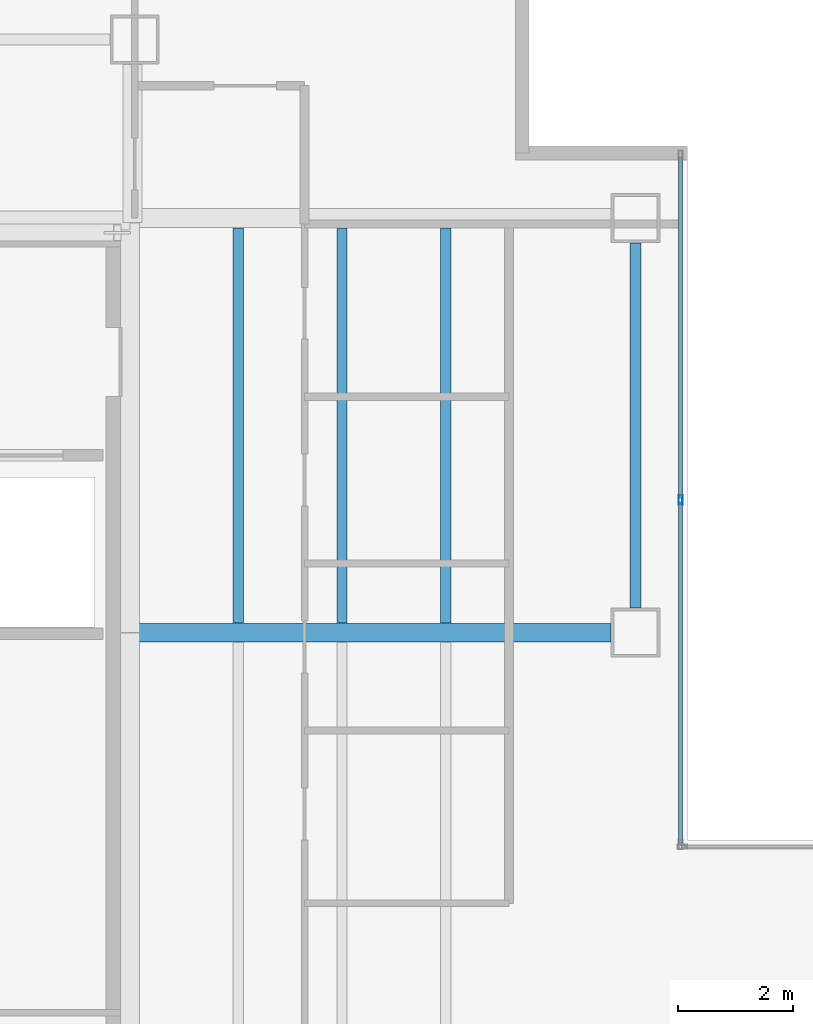
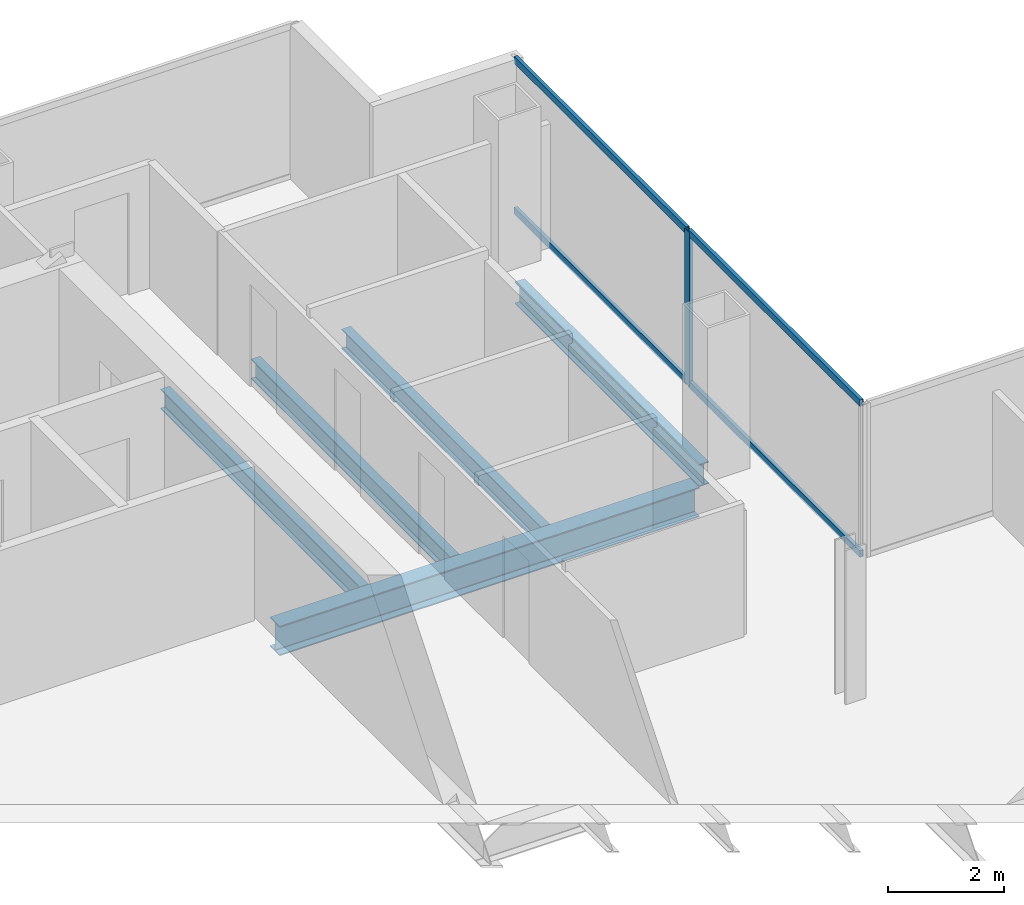
# One storey, part 9 of 23: 5 beams, 5 members, 1 element without a shape of its own.
"""IFC4 building model written with IfcOpenShell, lengths in metres."""

from ifc_helpers import new_model, si_unit, direction, frame, origin, origin_2d, place, context, subcontext, project, spatial, hollow_rectangle, i_section, extrude, material, material_profile, profile_set, type_object, element, aggregate, save


model = new_model("IFC4")

# Units and contexts
model_context = context("Model", 3, precision=1e-05, world=origin(), true_north=direction((0.0, 1.0)))
body_context = subcontext(model_context, "Body", "Model", "MODEL_VIEW")
ifc_project = project(units=[si_unit("LENGTHUNIT", "METRE"), si_unit("AREAUNIT", "SQUARE_METRE"), si_unit("VOLUMEUNIT", "CUBIC_METRE"), si_unit("PLANEANGLEUNIT", "RADIAN"), si_unit("MASSUNIT", "GRAM", prefix="KILO")], contexts=[model_context])

# Site, building, storey
site_placement = place(None, origin())
site = spatial("IfcSite", under=ifc_project, at=site_placement, CompositionType="ELEMENT")
building_placement = place(site_placement, origin())
building = spatial("IfcBuilding", under=site, at=building_placement, Name="Cobrela Telecom Tower", CompositionType="ELEMENT")
storey_placement = place(building_placement, frame((0.0, 0.0, 180.25)))
storey = spatial("IfcBuildingStorey", under=building, at=storey_placement, Name="L45", CompositionType="ELEMENT", Elevation=180.25)

# Beams
ifc_material_1 = material(Name="Steel ASTM A992 Grade 50", Category="steel")
ifc_material_profile_1 = material_profile(ifc_material_1, i_section(OverallWidth=0.327880859375, OverallDepth=0.6220703125, WebThickness=0.015380859375, FlangeThickness=0.0244140625, FilletRadius=0.014892578125, at=origin_2d()), Name="W24X131")
ifc_profile_set_1 = profile_set([ifc_material_profile_1], Name="Steel ASTM A992 Grade 50")
beam_type_1 = type_object("IfcBeamType", Name="BM-GIRD-06", PredefinedType="USERDEFINED", material=ifc_profile_set_1)
beam_1_placement = place(storey_placement, frame((14.324951171875, 28.800048828125, -0.571044921875), z_axis=(1.0, 0.0, 0.0), x_axis=(0.0, 1.0, 0.0)))
element("IfcBeam", 1, at=beam_1_placement, inside=storey, type_object=beam_type_1, Name="L45 Primary Girder X19", ObjectType="GIRDER", PredefinedType="USERDEFINED", context=body_context, shape_type="SweptSolid", body=[
    extrude(i_section(OverallWidth=0.327880859375, OverallDepth=0.6220703125, WebThickness=0.015380859375, FlangeThickness=0.0244140625, FilletRadius=0.014892578125, at=origin_2d()), origin(), (0.0, 0.0, 1.0), 8.344970703125),
])
ifc_material_profile_2 = material_profile(ifc_material_1, i_section(OverallWidth=0.179931640625, OverallDepth=0.4169921875, WebThickness=0.010986328125, FlangeThickness=0.01806640625, FilletRadius=0.011962890625, at=origin_2d()), Name="W16X57")
ifc_profile_set_2 = profile_set([ifc_material_profile_2], Name="Steel ASTM A992 Grade 50")
beam_type_2 = type_object("IfcBeamType", Name="BM-JOIST-04", PredefinedType="JOIST", material=ifc_profile_set_2)
for number, where, z_axis, x_axis, name in (
    (2, (16.199951171875, 28.968994140625, -0.468505859375), (0.0, 1.0, 0.0), (-1.0, 0.0, 0.0), "L45 Secondary Composite Floor Beam J04"),
    (3, (18.0, 28.968994140625, -0.468505859375), (0.0, 1.0, 0.0), (-1.0, 0.0, 0.0), "L45 Secondary Composite Floor Beam J08"),
    (4, (19.800048828125, 28.968994140625, -0.468505859375), (0.0, 1.0, 0.0), (-1.0, 0.0, 0.0), "L45 Secondary Composite Floor Beam J12"),
):
    element("IfcBeam", number, at=place(storey_placement, frame(where, z_axis=z_axis, x_axis=x_axis)), inside=storey, type_object=beam_type_2, Name=name, PredefinedType="JOIST", context=body_context, shape_type="SweptSolid", body=[
        extrude(i_section(OverallWidth=0.179931640625, OverallDepth=0.4169921875, WebThickness=0.010986328125, FlangeThickness=0.01806640625, FilletRadius=0.011962890625, at=origin_2d()), origin(), (0.0, 0.0, 1.0), 6.862060546875),
    ])
ifc_material_profile_3 = material_profile(ifc_material_1, i_section(OverallWidth=0.193115234375, OverallDepth=0.467041015625, WebThickness=0.011474609375, FlangeThickness=0.01904296875, FilletRadius=0.012939453125, at=origin_2d()), Name="W18X65")
ifc_profile_set_3 = profile_set([ifc_material_profile_3], Name="Steel ASTM A992 Grade 50")
beam_type_3 = type_object("IfcBeamType", Name="BM-SPAND-05", PredefinedType="SPANDREL", material=ifc_profile_set_3)
beam_2_placement = place(storey_placement, frame((23.10009765625, 29.22998046875, -0.493408203125), z_axis=(0.0, 1.0, 0.0), x_axis=(-1.0, 0.0, 0.0)))
element("IfcBeam", 5, at=beam_2_placement, inside=storey, type_object=beam_type_3, Name="L45 Perimeter Spandrel Y35", PredefinedType="SPANDREL", context=body_context, shape_type="SweptSolid", body=[
    extrude(i_section(OverallWidth=0.193115234375, OverallDepth=0.467041015625, WebThickness=0.011474609375, FlangeThickness=0.01904296875, FilletRadius=0.012939453125, at=origin_2d()), origin(), (0.0, 0.0, 1.0), 6.340087890625),
])

# Curtain wall, members
ifc_material_2 = material(Name="Anodized Bronze Aluminium 6063-T6", Category="aluminium")
curtain_wall_type = type_object("IfcCurtainWallType", Name="CW-SYS-OFF-LO", PredefinedType="USERDEFINED", material=ifc_material_2)
curtain_wall_placement = place(storey_placement, origin())
curtain_wall = element("IfcCurtainWall", 6, at=curtain_wall_placement, inside=storey, type_object=curtain_wall_type, Name="L45 Unitised Bronze Curtain Wall 10", ObjectType="UNITISED CURTAIN WALL", PredefinedType="USERDEFINED")
ifc_material_profile_4 = material_profile(ifc_material_2, hollow_rectangle(XDim=0.070068359375, YDim=0.159912109375, WallThickness=0.00390625, at=origin_2d()), Name="ALU 70x160x4")
ifc_profile_set_4 = profile_set([ifc_material_profile_4], Name="Anodized Bronze Aluminium 6063-T6")
member_type_1 = type_object("IfcMemberType", Name="CW-SYS-OFF-LO-MUL", PredefinedType="MULLION", material=ifc_profile_set_4)
member_1_placement = place(storey_placement, frame((23.8798828125, 31.10498046875, 0.0), z_axis=(0.0, 0.0, 1.0), x_axis=(1.0, 0.0, 0.0)))
member_1 = element("IfcMember", 7, at=member_1_placement, type_object=member_type_1, Name="CW-OFF-LO mullion 2", PredefinedType="MULLION", context=body_context, shape_type="SweptSolid", body=[
    extrude(hollow_rectangle(XDim=0.070068359375, YDim=0.159912109375, WallThickness=0.00390625, at=origin_2d()), origin(), (0.0, 0.0, 1.0), 3.239990234375),
])
ifc_material_profile_5 = material_profile(ifc_material_2, hollow_rectangle(XDim=0.070068359375, YDim=0.139892578125, WallThickness=0.00390625, at=origin_2d()), Name="ALU 70x140x4")
ifc_profile_set_5 = profile_set([ifc_material_profile_5], Name="Anodized Bronze Aluminium 6063-T6")
member_type_2 = type_object("IfcMemberType", Name="CW-SYS-OFF-LO-TRN", PredefinedType="USERDEFINED", material=ifc_profile_set_5)
member_2_placement = place(storey_placement, frame((23.8798828125, 37.06005859375, 0.034912109375), z_axis=(0.0, -1.0, 0.0), x_axis=(1.0, 0.0, 0.0)))
member_2 = element("IfcMember", 8, at=member_2_placement, type_object=member_type_2, Name="CW-OFF-LO transom 1.1", ObjectType="TRANSOM", PredefinedType="USERDEFINED", context=body_context, shape_type="SweptSolid", body=[
    extrude(hollow_rectangle(XDim=0.070068359375, YDim=0.139892578125, WallThickness=0.00390625, at=origin_2d()), origin(), (0.0, 0.0, 1.0), 5.920166015625),
])
member_3_placement = place(storey_placement, frame((23.8798828125, 37.06005859375, 3.205078125), z_axis=(0.0, -1.0, 0.0), x_axis=(1.0, 0.0, 0.0)))
member_3 = element("IfcMember", 9, at=member_3_placement, type_object=member_type_2, Name="CW-OFF-LO transom 1.2", ObjectType="TRANSOM", PredefinedType="USERDEFINED", context=body_context, shape_type="SweptSolid", body=[
    extrude(hollow_rectangle(XDim=0.070068359375, YDim=0.139892578125, WallThickness=0.00390625, at=origin_2d()), origin(), (0.0, 0.0, 1.0), 5.920166015625),
])
member_4_placement = place(storey_placement, frame((23.8798828125, 31.070068359375, 0.034912109375), z_axis=(0.0, -1.0, 0.0), x_axis=(1.0, 0.0, 0.0)))
member_4 = element("IfcMember", 10, at=member_4_placement, type_object=member_type_2, Name="CW-OFF-LO transom 2.1", ObjectType="TRANSOM", PredefinedType="USERDEFINED", context=body_context, shape_type="SweptSolid", body=[
    extrude(hollow_rectangle(XDim=0.070068359375, YDim=0.139892578125, WallThickness=0.00390625, at=origin_2d()), origin(), (0.0, 0.0, 1.0), 5.920166015625),
])
member_5_placement = place(storey_placement, frame((23.8798828125, 31.070068359375, 3.205078125), z_axis=(0.0, -1.0, 0.0), x_axis=(1.0, 0.0, 0.0)))
member_5 = element("IfcMember", 11, at=member_5_placement, type_object=member_type_2, Name="CW-OFF-LO transom 2.2", ObjectType="TRANSOM", PredefinedType="USERDEFINED", context=body_context, shape_type="SweptSolid", body=[
    extrude(hollow_rectangle(XDim=0.070068359375, YDim=0.139892578125, WallThickness=0.00390625, at=origin_2d()), origin(), (0.0, 0.0, 1.0), 5.920166015625),
])
aggregate(curtain_wall, [member_1, member_2, member_3, member_4, member_5])

save(model, "model.ifc")
